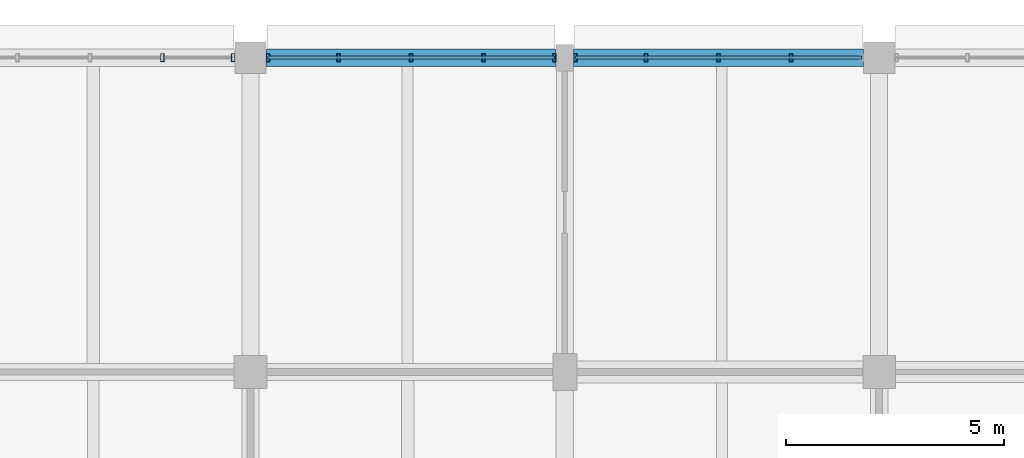
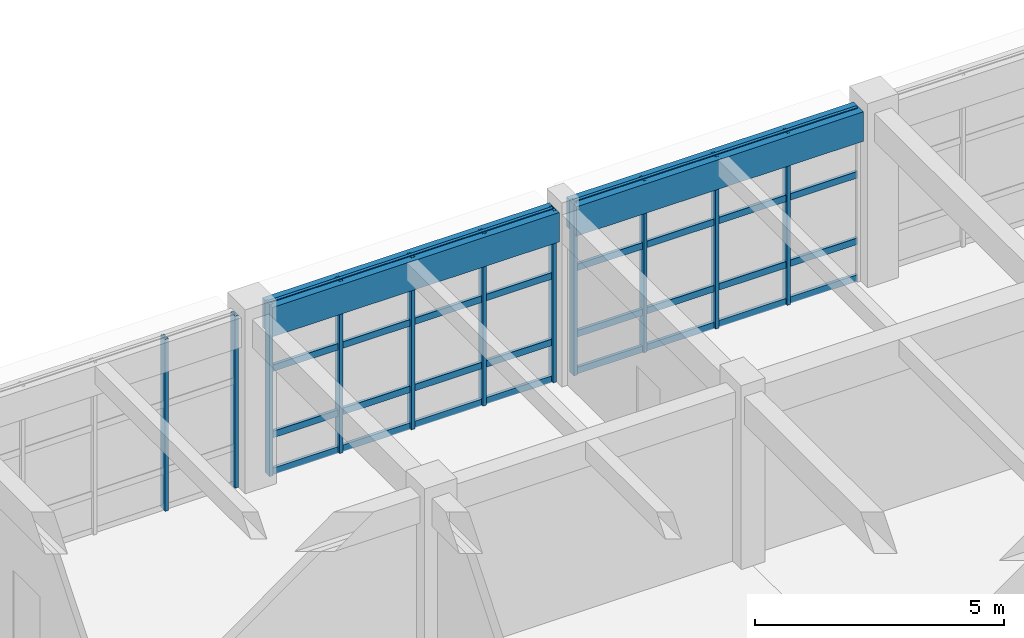
# One storey, part 71 of 171: 19 members, 2 beams, 3 elements without a shape of their own.
"""IFC4 building model written with IfcOpenShell, lengths in metres."""

from ifc_helpers import new_model, si_unit, direction, frame, origin, origin_2d, place, context, subcontext, project, spatial, rectangle, hollow_rectangle, extrude, material, material_profile, profile_set, type_object, element, aggregate, save


model = new_model("IFC4")

# Units and contexts
model_context = context("Model", 3, precision=1e-05, world=origin(), true_north=direction((0.0, 1.0)))
body_context = subcontext(model_context, "Body", "Model", "MODEL_VIEW")
ifc_project = project(units=[si_unit("LENGTHUNIT", "METRE"), si_unit("AREAUNIT", "SQUARE_METRE"), si_unit("VOLUMEUNIT", "CUBIC_METRE"), si_unit("PLANEANGLEUNIT", "RADIAN"), si_unit("MASSUNIT", "GRAM", prefix="KILO")], contexts=[model_context])

# Site, building, storey
site_placement = place(None, origin())
site = spatial("IfcSite", under=ifc_project, at=site_placement, CompositionType="ELEMENT")
building_placement = place(site_placement, origin())
building = spatial("IfcBuilding", under=site, at=building_placement, Name="Thalmaran Polytechnic", CompositionType="ELEMENT")
storey_placement = place(building_placement, frame((0.0, 0.0, 5.39990234375)))
storey = spatial("IfcBuildingStorey", under=building, at=storey_placement, Name="L01", CompositionType="ELEMENT", Elevation=5.39990234375)

# Beams
ifc_material_1 = material(Name="Concrete C40/50", Category="concrete")
ifc_material_profile_1 = material_profile(ifc_material_1, rectangle(XDim=0.39990234375, YDim=0.719970703125, at=origin_2d()), Name="RC 400x720")
ifc_profile_set_1 = profile_set([ifc_material_profile_1], Name="Concrete C40/50")
beam_type = type_object("IfcBeamType", Name="BM-SP01", PredefinedType="SPANDREL", material=ifc_profile_set_1)
for number, where, z_axis, x_axis, name in (
    (1, (50.760009765625, 122.39990234375, 3.85009765625), (1.0, 0.0, 0.0), (0.0, 1.0, 0.0), "Grid Beam SP01 L01 X(7,17)"),
    (2, (57.800048828125, 122.39990234375, 3.85009765625), (1.0, 0.0, 0.0), (0.0, 1.0, 0.0), "Grid Beam SP01 L01 X(8,17)"),
):
    element("IfcBeam", number, at=place(storey_placement, frame(where, z_axis=z_axis, x_axis=x_axis)), inside=storey, type_object=beam_type, Name=name, PredefinedType="SPANDREL", context=body_context, shape_type="SweptSolid", body=[
        extrude(rectangle(XDim=0.39990234375, YDim=0.719970703125, at=origin_2d()), origin(), (0.0, 0.0, 1.0), 6.639892578125),
    ])

# Curtain wall, members
ifc_material_2 = material(Name="Aluminium 6063-T6", Category="aluminium")
curtain_wall_type = type_object("IfcCurtainWallType", Name="CW-UC02", PredefinedType="USERDEFINED", material=ifc_material_2)
curtain_wall_1_placement = place(storey_placement, origin())
curtain_wall_1 = element("IfcCurtainWall", 3, at=curtain_wall_1_placement, inside=storey, type_object=curtain_wall_type, Name="Curtain Wall CW-L01-085", ObjectType="UNITISED CURTAIN WALL", PredefinedType="USERDEFINED")
ifc_material_profile_2 = material_profile(ifc_material_2, hollow_rectangle(XDim=0.080078125, YDim=0.179931640625, WallThickness=0.0048828125, at=origin_2d()), Name="RHS 180x80x5.0")
ifc_profile_set_2 = profile_set([ifc_material_profile_2], Name="Aluminium 6063-T6")
member_type_1 = type_object("IfcMemberType", Name="CW-MUL1", PredefinedType="MULLION", material=ifc_profile_set_2)
member_1_placement = place(storey_placement, frame((48.3798828125, 122.39990234375, 0.0), z_axis=(0.0, 0.0, 1.0), x_axis=(1.0, 0.0, 0.0)))
member_1 = element("IfcMember", 4, at=member_1_placement, type_object=member_type_1, Name="CW-L01-085 Mullion 4", PredefinedType="MULLION", context=body_context, shape_type="SweptSolid", body=[
    extrude(hollow_rectangle(XDim=0.080078125, YDim=0.179931640625, WallThickness=0.0048828125, at=origin_2d()), origin(), (0.0, 0.0, 1.0), 4.210205078125),
])
member_2_placement = place(storey_placement, frame((50.0, 122.39990234375, 0.0), z_axis=(0.0, 0.0, 1.0), x_axis=(1.0, 0.0, 0.0)))
member_2 = element("IfcMember", 5, at=member_2_placement, type_object=member_type_1, Name="CW-L01-085 Mullion 5", PredefinedType="MULLION", context=body_context, shape_type="SweptSolid", body=[
    extrude(hollow_rectangle(XDim=0.080078125, YDim=0.179931640625, WallThickness=0.0048828125, at=origin_2d()), origin(), (0.0, 0.0, 1.0), 4.210205078125),
])
aggregate(curtain_wall_1, [member_1, member_2])

curtain_wall_2_placement = place(storey_placement, origin())
curtain_wall_2 = element("IfcCurtainWall", 6, at=curtain_wall_2_placement, inside=storey, type_object=curtain_wall_type, Name="Curtain Wall CW-L01-086", ObjectType="UNITISED CURTAIN WALL", PredefinedType="USERDEFINED")
member_3_placement = place(storey_placement, frame((50.800048828125, 122.39990234375, 0.0), z_axis=(0.0, 0.0, 1.0), x_axis=(1.0, 0.0, 0.0)))
member_3 = element("IfcMember", 7, at=member_3_placement, type_object=member_type_1, Name="CW-L01-086 Mullion 1", PredefinedType="MULLION", context=body_context, shape_type="SweptSolid", body=[
    extrude(hollow_rectangle(XDim=0.080078125, YDim=0.179931640625, WallThickness=0.0048828125, at=origin_2d()), origin(), (0.0, 0.0, 1.0), 4.210205078125),
])
member_4_placement = place(storey_placement, frame((52.419921875, 122.39990234375, 0.0), z_axis=(0.0, 0.0, 1.0), x_axis=(1.0, 0.0, 0.0)))
member_4 = element("IfcMember", 8, at=member_4_placement, type_object=member_type_1, Name="CW-L01-086 Mullion 2", PredefinedType="MULLION", context=body_context, shape_type="SweptSolid", body=[
    extrude(hollow_rectangle(XDim=0.080078125, YDim=0.179931640625, WallThickness=0.0048828125, at=origin_2d()), origin(), (0.0, 0.0, 1.0), 4.210205078125),
])
member_5_placement = place(storey_placement, frame((54.080078125, 122.39990234375, 0.0), z_axis=(0.0, 0.0, 1.0), x_axis=(1.0, 0.0, 0.0)))
member_5 = element("IfcMember", 9, at=member_5_placement, type_object=member_type_1, Name="CW-L01-086 Mullion 3", PredefinedType="MULLION", context=body_context, shape_type="SweptSolid", body=[
    extrude(hollow_rectangle(XDim=0.080078125, YDim=0.179931640625, WallThickness=0.0048828125, at=origin_2d()), origin(), (0.0, 0.0, 1.0), 4.210205078125),
])
member_6_placement = place(storey_placement, frame((55.739990234375, 122.39990234375, 0.0), z_axis=(0.0, 0.0, 1.0), x_axis=(1.0, 0.0, 0.0)))
member_6 = element("IfcMember", 10, at=member_6_placement, type_object=member_type_1, Name="CW-L01-086 Mullion 4", PredefinedType="MULLION", context=body_context, shape_type="SweptSolid", body=[
    extrude(hollow_rectangle(XDim=0.080078125, YDim=0.179931640625, WallThickness=0.0048828125, at=origin_2d()), origin(), (0.0, 0.0, 1.0), 4.210205078125),
])
member_7_placement = place(storey_placement, frame((57.360107421875, 122.39990234375, 0.0), z_axis=(0.0, 0.0, 1.0), x_axis=(1.0, 0.0, 0.0)))
member_7 = element("IfcMember", 11, at=member_7_placement, type_object=member_type_1, Name="CW-L01-086 Mullion 5", PredefinedType="MULLION", context=body_context, shape_type="SweptSolid", body=[
    extrude(hollow_rectangle(XDim=0.080078125, YDim=0.179931640625, WallThickness=0.0048828125, at=origin_2d()), origin(), (0.0, 0.0, 1.0), 4.210205078125),
])

curtain_wall_3_placement = place(storey_placement, origin())
curtain_wall_3 = element("IfcCurtainWall", 12, at=curtain_wall_3_placement, inside=storey, type_object=curtain_wall_type, Name="Curtain Wall CW-L01-087", ObjectType="UNITISED CURTAIN WALL", PredefinedType="USERDEFINED")
member_8_placement = place(storey_placement, frame((57.840087890625, 122.39990234375, 0.0), z_axis=(0.0, 0.0, 1.0), x_axis=(1.0, 0.0, 0.0)))
member_8 = element("IfcMember", 13, at=member_8_placement, type_object=member_type_1, Name="CW-L01-087 Mullion 1", PredefinedType="MULLION", context=body_context, shape_type="SweptSolid", body=[
    extrude(hollow_rectangle(XDim=0.080078125, YDim=0.179931640625, WallThickness=0.0048828125, at=origin_2d()), origin(), (0.0, 0.0, 1.0), 4.210205078125),
])
member_9_placement = place(storey_placement, frame((59.4599609375, 122.39990234375, 0.0), z_axis=(0.0, 0.0, 1.0), x_axis=(1.0, 0.0, 0.0)))
member_9 = element("IfcMember", 14, at=member_9_placement, type_object=member_type_1, Name="CW-L01-087 Mullion 2", PredefinedType="MULLION", context=body_context, shape_type="SweptSolid", body=[
    extrude(hollow_rectangle(XDim=0.080078125, YDim=0.179931640625, WallThickness=0.0048828125, at=origin_2d()), origin(), (0.0, 0.0, 1.0), 4.210205078125),
])
member_10_placement = place(storey_placement, frame((61.1201171875, 122.39990234375, 0.0), z_axis=(0.0, 0.0, 1.0), x_axis=(1.0, 0.0, 0.0)))
member_10 = element("IfcMember", 15, at=member_10_placement, type_object=member_type_1, Name="CW-L01-087 Mullion 3", PredefinedType="MULLION", context=body_context, shape_type="SweptSolid", body=[
    extrude(hollow_rectangle(XDim=0.080078125, YDim=0.179931640625, WallThickness=0.0048828125, at=origin_2d()), origin(), (0.0, 0.0, 1.0), 4.210205078125),
])
member_11_placement = place(storey_placement, frame((62.780029296875, 122.39990234375, 0.0), z_axis=(0.0, 0.0, 1.0), x_axis=(1.0, 0.0, 0.0)))
member_11 = element("IfcMember", 16, at=member_11_placement, type_object=member_type_1, Name="CW-L01-087 Mullion 4", PredefinedType="MULLION", context=body_context, shape_type="SweptSolid", body=[
    extrude(hollow_rectangle(XDim=0.080078125, YDim=0.179931640625, WallThickness=0.0048828125, at=origin_2d()), origin(), (0.0, 0.0, 1.0), 4.210205078125),
])

# Member
ifc_material_profile_3 = material_profile(ifc_material_2, hollow_rectangle(XDim=0.070068359375, YDim=0.159912109375, WallThickness=0.00390625, at=origin_2d()), Name="AL 160x70x4.0")
ifc_profile_set_3 = profile_set([ifc_material_profile_3], Name="Aluminium 6063-T6")
member_type_2 = type_object("IfcMemberType", Name="CW-TRN1", PredefinedType="USERDEFINED", material=ifc_profile_set_3)
member_12_placement = place(storey_placement, frame((50.800048828125, 122.39990234375, 0.06005859375), z_axis=(1.0, 0.0, 0.0), x_axis=(0.0, 1.0, 0.0)))
member_12 = element("IfcMember", 17, at=member_12_placement, type_object=member_type_2, Name="CW-L01-086 Transom 1", ObjectType="TRANSOM", PredefinedType="USERDEFINED", context=body_context, shape_type="SweptSolid", body=[
    extrude(hollow_rectangle(XDim=0.070068359375, YDim=0.159912109375, WallThickness=0.00390625, at=origin_2d()), origin(), (0.0, 0.0, 1.0), 6.56005859375),
])

member_13_placement = place(storey_placement, frame((50.800048828125, 122.39990234375, 0.960205078125), z_axis=(1.0, 0.0, 0.0), x_axis=(0.0, 1.0, 0.0)))
member_13 = element("IfcMember", 18, at=member_13_placement, type_object=member_type_2, Name="CW-L01-086 Transom 2", ObjectType="TRANSOM", PredefinedType="USERDEFINED", context=body_context, shape_type="SweptSolid", body=[
    extrude(hollow_rectangle(XDim=0.070068359375, YDim=0.159912109375, WallThickness=0.00390625, at=origin_2d()), origin(), (0.0, 0.0, 1.0), 6.56005859375),
])

member_14_placement = place(storey_placement, frame((50.800048828125, 122.39990234375, 2.585205078125), z_axis=(1.0, 0.0, 0.0), x_axis=(0.0, 1.0, 0.0)))
member_14 = element("IfcMember", 19, at=member_14_placement, type_object=member_type_2, Name="CW-L01-086 Transom 3", ObjectType="TRANSOM", PredefinedType="USERDEFINED", context=body_context, shape_type="SweptSolid", body=[
    extrude(hollow_rectangle(XDim=0.070068359375, YDim=0.159912109375, WallThickness=0.00390625, at=origin_2d()), origin(), (0.0, 0.0, 1.0), 6.56005859375),
])

member_15_placement = place(storey_placement, frame((50.800048828125, 122.39990234375, 4.150146484375), z_axis=(1.0, 0.0, 0.0), x_axis=(0.0, 1.0, 0.0)))
member_15 = element("IfcMember", 20, at=member_15_placement, type_object=member_type_2, Name="CW-L01-086 Transom 4", ObjectType="TRANSOM", PredefinedType="USERDEFINED", context=body_context, shape_type="SweptSolid", body=[
    extrude(hollow_rectangle(XDim=0.070068359375, YDim=0.159912109375, WallThickness=0.00390625, at=origin_2d()), origin(), (0.0, 0.0, 1.0), 6.56005859375),
])

aggregate(curtain_wall_2, [member_3, member_4, member_5, member_6, member_7, member_12, member_13, member_14, member_15])

member_16_placement = place(storey_placement, frame((57.840087890625, 122.39990234375, 0.06005859375), z_axis=(1.0, 0.0, 0.0), x_axis=(0.0, 1.0, 0.0)))
member_16 = element("IfcMember", 21, at=member_16_placement, type_object=member_type_2, Name="CW-L01-087 Transom 1", ObjectType="TRANSOM", PredefinedType="USERDEFINED", context=body_context, shape_type="SweptSolid", body=[
    extrude(hollow_rectangle(XDim=0.070068359375, YDim=0.159912109375, WallThickness=0.00390625, at=origin_2d()), origin(), (0.0, 0.0, 1.0), 6.559814453125),
])

member_17_placement = place(storey_placement, frame((57.840087890625, 122.39990234375, 0.960205078125), z_axis=(1.0, 0.0, 0.0), x_axis=(0.0, 1.0, 0.0)))
member_17 = element("IfcMember", 22, at=member_17_placement, type_object=member_type_2, Name="CW-L01-087 Transom 2", ObjectType="TRANSOM", PredefinedType="USERDEFINED", context=body_context, shape_type="SweptSolid", body=[
    extrude(hollow_rectangle(XDim=0.070068359375, YDim=0.159912109375, WallThickness=0.00390625, at=origin_2d()), origin(), (0.0, 0.0, 1.0), 6.559814453125),
])

member_18_placement = place(storey_placement, frame((57.840087890625, 122.39990234375, 2.585205078125), z_axis=(1.0, 0.0, 0.0), x_axis=(0.0, 1.0, 0.0)))
member_18 = element("IfcMember", 23, at=member_18_placement, type_object=member_type_2, Name="CW-L01-087 Transom 3", ObjectType="TRANSOM", PredefinedType="USERDEFINED", context=body_context, shape_type="SweptSolid", body=[
    extrude(hollow_rectangle(XDim=0.070068359375, YDim=0.159912109375, WallThickness=0.00390625, at=origin_2d()), origin(), (0.0, 0.0, 1.0), 6.559814453125),
])

member_19_placement = place(storey_placement, frame((57.840087890625, 122.39990234375, 4.150146484375), z_axis=(1.0, 0.0, 0.0), x_axis=(0.0, 1.0, 0.0)))
member_19 = element("IfcMember", 24, at=member_19_placement, type_object=member_type_2, Name="CW-L01-087 Transom 4", ObjectType="TRANSOM", PredefinedType="USERDEFINED", context=body_context, shape_type="SweptSolid", body=[
    extrude(hollow_rectangle(XDim=0.070068359375, YDim=0.159912109375, WallThickness=0.00390625, at=origin_2d()), origin(), (0.0, 0.0, 1.0), 6.559814453125),
])

aggregate(curtain_wall_3, [member_8, member_9, member_10, member_11, member_16, member_17, member_18, member_19])

save(model, "model.ifc")
